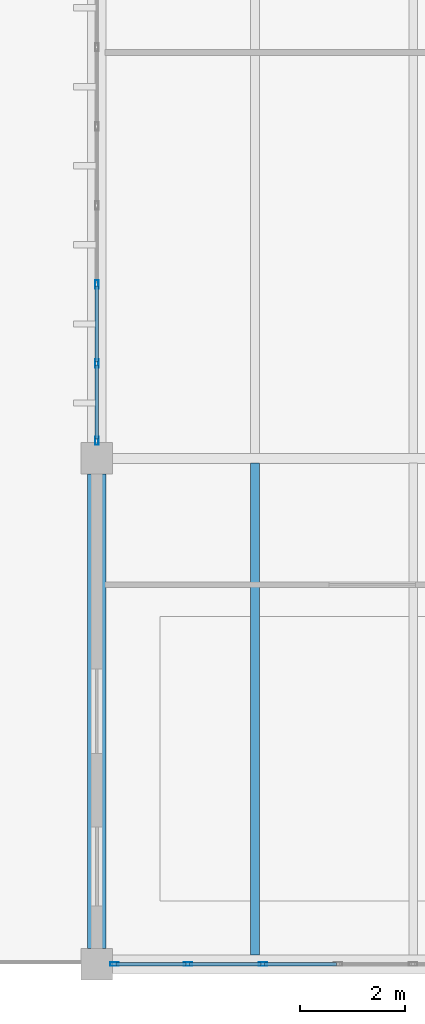
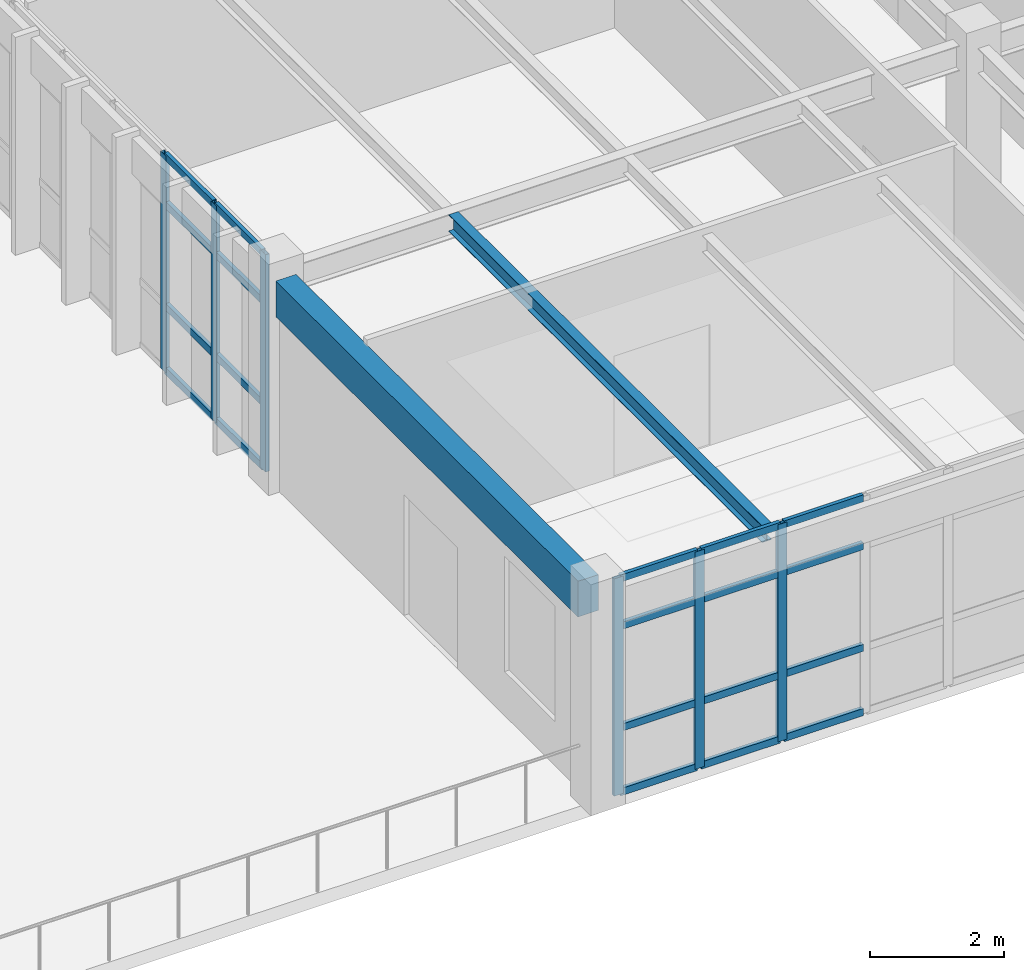
# One storey, part 2 of 28: 26 members, 2 beams, 2 elements without a shape of their own.
"""IFC4 building model written with IfcOpenShell, lengths in metres."""

from ifc_helpers import new_model, si_unit, direction, frame, origin, origin_2d, place, context, subcontext, project, spatial, rectangle, hollow_rectangle, i_section, extrude, material, layer, layer_set, material_profile, profile_set, type_object, element, aggregate, save


model = new_model("IFC4")

# Units and contexts
model_context = context("Model", 3, precision=1e-05, world=origin(), true_north=direction((0.0, 1.0)))
body_context = subcontext(model_context, "Body", "Model", "MODEL_VIEW")
ifc_project = project(units=[si_unit("LENGTHUNIT", "METRE"), si_unit("AREAUNIT", "SQUARE_METRE"), si_unit("VOLUMEUNIT", "CUBIC_METRE"), si_unit("PLANEANGLEUNIT", "RADIAN"), si_unit("MASSUNIT", "GRAM", prefix="KILO")], contexts=[model_context])

# Site, building, storey
site_placement = place(None, origin())
site = spatial("IfcSite", under=ifc_project, at=site_placement, CompositionType="ELEMENT")
building_placement = place(site_placement, origin())
building = spatial("IfcBuilding", under=site, at=building_placement, Name="Pandanus Reach Market Hall", CompositionType="ELEMENT")
storey_placement = place(building_placement, frame((0.0, 0.0, 18.60009765625)))
storey = spatial("IfcBuildingStorey", under=building, at=storey_placement, Name="L04", CompositionType="ELEMENT", Elevation=18.60009765625)

# Beam
ifc_material_1 = material(Name="Concrete N40 (40 MPa)", Category="concrete")
ifc_material_profile_1 = material_profile(ifc_material_1, rectangle(XDim=0.35009765625, YDim=0.64990234375, at=origin_2d()), Name="RC350x650", Category="LoadBearing")
ifc_profile_set_1 = profile_set([ifc_material_profile_1], Name="Concrete N40 (40 MPa)")
beam_type_1 = type_object("IfcBeamType", Name="BM-RC350-E", PredefinedType="SPANDREL", material=ifc_profile_set_1)
beam_1_placement = place(storey_placement, frame((156.0, 29.097900390625, 3.534912109375), z_axis=(0.0, 1.0, 0.0), x_axis=(-1.0, 0.0, 0.0)))
element("IfcBeam", 1, at=beam_1_placement, inside=storey, type_object=beam_type_1, Name="Framing beam BM-RC350-E L04.622", PredefinedType="SPANDREL", context=body_context, shape_type="SweptSolid", body=[
    extrude(rectangle(XDim=0.35009765625, YDim=0.64990234375, at=origin_2d()), origin(), (0.0, 0.0, 1.0), 9.004150390625),
])

# Curtain wall, members
ifc_material_2 = material(Name="Bronze anodised aluminium and low-E glass", Category="aluminium")
ifc_layer_1 = layer(ifc_material_2, 0.159912109375, Name="CW-35")
ifc_layer_set_1 = layer_set([ifc_layer_1], Name="Bronze anodised aluminium and low-E glass")
curtain_wall_type_1 = type_object("IfcCurtainWallType", Name="CW-35", PredefinedType="NOTDEFINED", material=ifc_layer_set_1)
curtain_wall_1_placement = place(storey_placement, origin())
curtain_wall_1 = element("IfcCurtainWall", 2, at=curtain_wall_1_placement, inside=storey, type_object=curtain_wall_type_1, Name="Glazed curtain wall CW-35 CW-0127", PredefinedType="NOTDEFINED")
ifc_material_3 = material(Name="Bronze anodised aluminium", Category="aluminium")
ifc_material_profile_2 = material_profile(ifc_material_3, hollow_rectangle(XDim=0.06494140625, YDim=0.159912109375, WallThickness=0.00390625, at=origin_2d()), Name="ALU65x160", Category="LoadBearing")
ifc_profile_set_2 = profile_set([ifc_material_profile_2], Name="Bronze anodised aluminium")
member_type_1 = type_object("IfcMemberType", Name="CW-M1", PredefinedType="MULLION", material=ifc_profile_set_2)
member_1_placement = place(storey_placement, frame((156.33251953125, 28.800048828125, 0.0), z_axis=(0.0, 0.0, 1.0), x_axis=(0.0, 1.0, 0.0)))
member_1 = element("IfcMember", 3, at=member_1_placement, type_object=member_type_1, Name="CW-35 mullion 1", PredefinedType="MULLION", context=body_context, shape_type="SweptSolid", body=[
    extrude(hollow_rectangle(XDim=0.06494140625, YDim=0.159912109375, WallThickness=0.00390625, at=origin_2d()), origin(), (0.0, 0.0, 1.0), 3.949951171875),
])
member_2_placement = place(storey_placement, frame((157.72509765625, 28.800048828125, 0.0), z_axis=(0.0, 0.0, 1.0), x_axis=(0.0, 1.0, 0.0)))
member_2 = element("IfcMember", 4, at=member_2_placement, type_object=member_type_1, Name="CW-35 mullion 2", PredefinedType="MULLION", context=body_context, shape_type="SweptSolid", body=[
    extrude(hollow_rectangle(XDim=0.06494140625, YDim=0.159912109375, WallThickness=0.00390625, at=origin_2d()), origin(), (0.0, 0.0, 1.0), 3.949951171875),
])
member_3_placement = place(storey_placement, frame((159.14990234375, 28.800048828125, 0.0), z_axis=(0.0, 0.0, 1.0), x_axis=(0.0, 1.0, 0.0)))
member_3 = element("IfcMember", 5, at=member_3_placement, type_object=member_type_1, Name="CW-35 mullion 3", PredefinedType="MULLION", context=body_context, shape_type="SweptSolid", body=[
    extrude(hollow_rectangle(XDim=0.06494140625, YDim=0.159912109375, WallThickness=0.00390625, at=origin_2d()), origin(), (0.0, 0.0, 1.0), 3.949951171875),
])

ifc_layer_2 = layer(ifc_material_2, 0.159912109375, Name="CW-37")
ifc_layer_set_2 = layer_set([ifc_layer_2], Name="Bronze anodised aluminium and low-E glass")
curtain_wall_type_2 = type_object("IfcCurtainWallType", Name="CW-37", PredefinedType="NOTDEFINED", material=ifc_layer_set_2)
curtain_wall_2_placement = place(storey_placement, origin())
curtain_wall_2 = element("IfcCurtainWall", 6, at=curtain_wall_2_placement, inside=storey, type_object=curtain_wall_type_2, Name="Glazed curtain wall CW-37 CW-0133", PredefinedType="NOTDEFINED")
member_4_placement = place(storey_placement, frame((156.0, 38.732421875, 0.0), z_axis=(0.0, 0.0, 1.0), x_axis=(-1.0, 0.0, 0.0)))
member_4 = element("IfcMember", 7, at=member_4_placement, type_object=member_type_1, Name="CW-37 mullion 1", PredefinedType="MULLION", context=body_context, shape_type="SweptSolid", body=[
    extrude(hollow_rectangle(XDim=0.06494140625, YDim=0.159912109375, WallThickness=0.00390625, at=origin_2d()), origin(), (0.0, 0.0, 1.0), 3.949951171875),
])
member_5_placement = place(storey_placement, frame((156.0, 40.199951171875, 0.0), z_axis=(0.0, 0.0, 1.0), x_axis=(-1.0, 0.0, 0.0)))
member_5 = element("IfcMember", 8, at=member_5_placement, type_object=member_type_1, Name="CW-37 mullion 2", PredefinedType="MULLION", context=body_context, shape_type="SweptSolid", body=[
    extrude(hollow_rectangle(XDim=0.06494140625, YDim=0.159912109375, WallThickness=0.00390625, at=origin_2d()), origin(), (0.0, 0.0, 1.0), 3.949951171875),
])
member_6_placement = place(storey_placement, frame((156.0, 41.699951171875, 0.0), z_axis=(0.0, 0.0, 1.0), x_axis=(-1.0, 0.0, 0.0)))
member_6 = element("IfcMember", 9, at=member_6_placement, type_object=member_type_1, Name="CW-37 mullion 3", PredefinedType="MULLION", context=body_context, shape_type="SweptSolid", body=[
    extrude(hollow_rectangle(XDim=0.06494140625, YDim=0.159912109375, WallThickness=0.00390625, at=origin_2d()), origin(), (0.0, 0.0, 1.0), 3.949951171875),
])

# Member
ifc_material_profile_3 = material_profile(ifc_material_3, hollow_rectangle(XDim=0.06494140625, YDim=0.1298828125, WallThickness=0.00390625, at=origin_2d()), Name="ALU65x130", Category="LoadBearing")
ifc_profile_set_3 = profile_set([ifc_material_profile_3], Name="Bronze anodised aluminium")
member_type_2 = type_object("IfcMemberType", Name="CW-T1", PredefinedType="USERDEFINED", material=ifc_profile_set_3)
member_7_placement = place(storey_placement, frame((156.364990234375, 28.800048828125, 0.032470703125), z_axis=(1.0, 0.0, 0.0), x_axis=(0.0, 1.0, 0.0)))
member_7 = element("IfcMember", 10, at=member_7_placement, type_object=member_type_2, Name="CW-35 transom 1.1", ObjectType="TRANSOM", PredefinedType="USERDEFINED", context=body_context, shape_type="SweptSolid", body=[
    extrude(hollow_rectangle(XDim=0.06494140625, YDim=0.1298828125, WallThickness=0.00390625, at=origin_2d()), origin(), (0.0, 0.0, 1.0), 1.327392578125),
])

member_8_placement = place(storey_placement, frame((156.364990234375, 28.800048828125, 1.199951171875), z_axis=(1.0, 0.0, 0.0), x_axis=(0.0, 1.0, 0.0)))
member_8 = element("IfcMember", 11, at=member_8_placement, type_object=member_type_2, Name="CW-35 transom 1.2", ObjectType="TRANSOM", PredefinedType="USERDEFINED", context=body_context, shape_type="SweptSolid", body=[
    extrude(hollow_rectangle(XDim=0.06494140625, YDim=0.1298828125, WallThickness=0.00390625, at=origin_2d()), origin(), (0.0, 0.0, 1.0), 1.327392578125),
])

member_9_placement = place(storey_placement, frame((156.364990234375, 28.800048828125, 3.0498046875), z_axis=(1.0, 0.0, 0.0), x_axis=(0.0, 1.0, 0.0)))
member_9 = element("IfcMember", 12, at=member_9_placement, type_object=member_type_2, Name="CW-35 transom 1.3", ObjectType="TRANSOM", PredefinedType="USERDEFINED", context=body_context, shape_type="SweptSolid", body=[
    extrude(hollow_rectangle(XDim=0.06494140625, YDim=0.1298828125, WallThickness=0.00390625, at=origin_2d()), origin(), (0.0, 0.0, 1.0), 1.327392578125),
])

member_10_placement = place(storey_placement, frame((156.364990234375, 28.800048828125, 3.91748046875), z_axis=(1.0, 0.0, 0.0), x_axis=(0.0, 1.0, 0.0)))
member_10 = element("IfcMember", 13, at=member_10_placement, type_object=member_type_2, Name="CW-35 transom 1.4", ObjectType="TRANSOM", PredefinedType="USERDEFINED", context=body_context, shape_type="SweptSolid", body=[
    extrude(hollow_rectangle(XDim=0.06494140625, YDim=0.1298828125, WallThickness=0.00390625, at=origin_2d()), origin(), (0.0, 0.0, 1.0), 1.327392578125),
])

member_11_placement = place(storey_placement, frame((157.757568359375, 28.800048828125, 0.032470703125), z_axis=(1.0, 0.0, 0.0), x_axis=(0.0, 1.0, 0.0)))
member_11 = element("IfcMember", 14, at=member_11_placement, type_object=member_type_2, Name="CW-35 transom 2.1", ObjectType="TRANSOM", PredefinedType="USERDEFINED", context=body_context, shape_type="SweptSolid", body=[
    extrude(hollow_rectangle(XDim=0.06494140625, YDim=0.1298828125, WallThickness=0.00390625, at=origin_2d()), origin(), (0.0, 0.0, 1.0), 1.35986328125),
])

member_12_placement = place(storey_placement, frame((157.757568359375, 28.800048828125, 1.199951171875), z_axis=(1.0, 0.0, 0.0), x_axis=(0.0, 1.0, 0.0)))
member_12 = element("IfcMember", 15, at=member_12_placement, type_object=member_type_2, Name="CW-35 transom 2.2", ObjectType="TRANSOM", PredefinedType="USERDEFINED", context=body_context, shape_type="SweptSolid", body=[
    extrude(hollow_rectangle(XDim=0.06494140625, YDim=0.1298828125, WallThickness=0.00390625, at=origin_2d()), origin(), (0.0, 0.0, 1.0), 1.35986328125),
])

member_13_placement = place(storey_placement, frame((157.757568359375, 28.800048828125, 3.0498046875), z_axis=(1.0, 0.0, 0.0), x_axis=(0.0, 1.0, 0.0)))
member_13 = element("IfcMember", 16, at=member_13_placement, type_object=member_type_2, Name="CW-35 transom 2.3", ObjectType="TRANSOM", PredefinedType="USERDEFINED", context=body_context, shape_type="SweptSolid", body=[
    extrude(hollow_rectangle(XDim=0.06494140625, YDim=0.1298828125, WallThickness=0.00390625, at=origin_2d()), origin(), (0.0, 0.0, 1.0), 1.35986328125),
])

member_14_placement = place(storey_placement, frame((157.757568359375, 28.800048828125, 3.91748046875), z_axis=(1.0, 0.0, 0.0), x_axis=(0.0, 1.0, 0.0)))
member_14 = element("IfcMember", 17, at=member_14_placement, type_object=member_type_2, Name="CW-35 transom 2.4", ObjectType="TRANSOM", PredefinedType="USERDEFINED", context=body_context, shape_type="SweptSolid", body=[
    extrude(hollow_rectangle(XDim=0.06494140625, YDim=0.1298828125, WallThickness=0.00390625, at=origin_2d()), origin(), (0.0, 0.0, 1.0), 1.35986328125),
])

member_15_placement = place(storey_placement, frame((159.1826171875, 28.800048828125, 0.032470703125), z_axis=(1.0, 0.0, 0.0), x_axis=(0.0, 1.0, 0.0)))
member_15 = element("IfcMember", 18, at=member_15_placement, type_object=member_type_2, Name="CW-35 transom 3.1", ObjectType="TRANSOM", PredefinedType="USERDEFINED", context=body_context, shape_type="SweptSolid", body=[
    extrude(hollow_rectangle(XDim=0.06494140625, YDim=0.1298828125, WallThickness=0.00390625, at=origin_2d()), origin(), (0.0, 0.0, 1.0), 1.35986328125),
])

member_16_placement = place(storey_placement, frame((159.1826171875, 28.800048828125, 1.199951171875), z_axis=(1.0, 0.0, 0.0), x_axis=(0.0, 1.0, 0.0)))
member_16 = element("IfcMember", 19, at=member_16_placement, type_object=member_type_2, Name="CW-35 transom 3.2", ObjectType="TRANSOM", PredefinedType="USERDEFINED", context=body_context, shape_type="SweptSolid", body=[
    extrude(hollow_rectangle(XDim=0.06494140625, YDim=0.1298828125, WallThickness=0.00390625, at=origin_2d()), origin(), (0.0, 0.0, 1.0), 1.35986328125),
])

member_17_placement = place(storey_placement, frame((159.1826171875, 28.800048828125, 3.0498046875), z_axis=(1.0, 0.0, 0.0), x_axis=(0.0, 1.0, 0.0)))
member_17 = element("IfcMember", 20, at=member_17_placement, type_object=member_type_2, Name="CW-35 transom 3.3", ObjectType="TRANSOM", PredefinedType="USERDEFINED", context=body_context, shape_type="SweptSolid", body=[
    extrude(hollow_rectangle(XDim=0.06494140625, YDim=0.1298828125, WallThickness=0.00390625, at=origin_2d()), origin(), (0.0, 0.0, 1.0), 1.35986328125),
])

member_18_placement = place(storey_placement, frame((159.1826171875, 28.800048828125, 3.91748046875), z_axis=(1.0, 0.0, 0.0), x_axis=(0.0, 1.0, 0.0)))
member_18 = element("IfcMember", 21, at=member_18_placement, type_object=member_type_2, Name="CW-35 transom 3.4", ObjectType="TRANSOM", PredefinedType="USERDEFINED", context=body_context, shape_type="SweptSolid", body=[
    extrude(hollow_rectangle(XDim=0.06494140625, YDim=0.1298828125, WallThickness=0.00390625, at=origin_2d()), origin(), (0.0, 0.0, 1.0), 1.35986328125),
])

aggregate(curtain_wall_1, [member_1, member_2, member_3, member_7, member_8, member_9, member_10, member_11, member_12, member_13, member_14, member_15, member_16, member_17, member_18])

member_19_placement = place(storey_placement, frame((156.0, 38.764892578125, 0.032470703125), z_axis=(0.0, 1.0, 0.0), x_axis=(-1.0, 0.0, 0.0)))
member_19 = element("IfcMember", 22, at=member_19_placement, type_object=member_type_2, Name="CW-37 transom 1.1", ObjectType="TRANSOM", PredefinedType="USERDEFINED", context=body_context, shape_type="SweptSolid", body=[
    extrude(hollow_rectangle(XDim=0.06494140625, YDim=0.1298828125, WallThickness=0.00390625, at=origin_2d()), origin(), (0.0, 0.0, 1.0), 1.402587890625),
])

member_20_placement = place(storey_placement, frame((156.0, 38.764892578125, 1.199951171875), z_axis=(0.0, 1.0, 0.0), x_axis=(-1.0, 0.0, 0.0)))
member_20 = element("IfcMember", 23, at=member_20_placement, type_object=member_type_2, Name="CW-37 transom 1.2", ObjectType="TRANSOM", PredefinedType="USERDEFINED", context=body_context, shape_type="SweptSolid", body=[
    extrude(hollow_rectangle(XDim=0.06494140625, YDim=0.1298828125, WallThickness=0.00390625, at=origin_2d()), origin(), (0.0, 0.0, 1.0), 1.402587890625),
])

member_21_placement = place(storey_placement, frame((156.0, 38.764892578125, 3.0498046875), z_axis=(0.0, 1.0, 0.0), x_axis=(-1.0, 0.0, 0.0)))
member_21 = element("IfcMember", 24, at=member_21_placement, type_object=member_type_2, Name="CW-37 transom 1.3", ObjectType="TRANSOM", PredefinedType="USERDEFINED", context=body_context, shape_type="SweptSolid", body=[
    extrude(hollow_rectangle(XDim=0.06494140625, YDim=0.1298828125, WallThickness=0.00390625, at=origin_2d()), origin(), (0.0, 0.0, 1.0), 1.402587890625),
])

member_22_placement = place(storey_placement, frame((156.0, 38.764892578125, 3.91748046875), z_axis=(0.0, 1.0, 0.0), x_axis=(-1.0, 0.0, 0.0)))
member_22 = element("IfcMember", 25, at=member_22_placement, type_object=member_type_2, Name="CW-37 transom 1.4", ObjectType="TRANSOM", PredefinedType="USERDEFINED", context=body_context, shape_type="SweptSolid", body=[
    extrude(hollow_rectangle(XDim=0.06494140625, YDim=0.1298828125, WallThickness=0.00390625, at=origin_2d()), origin(), (0.0, 0.0, 1.0), 1.402587890625),
])

member_23_placement = place(storey_placement, frame((156.0, 40.232421875, 0.032470703125), z_axis=(0.0, 1.0, 0.0), x_axis=(-1.0, 0.0, 0.0)))
member_23 = element("IfcMember", 26, at=member_23_placement, type_object=member_type_2, Name="CW-37 transom 2.1", ObjectType="TRANSOM", PredefinedType="USERDEFINED", context=body_context, shape_type="SweptSolid", body=[
    extrude(hollow_rectangle(XDim=0.06494140625, YDim=0.1298828125, WallThickness=0.00390625, at=origin_2d()), origin(), (0.0, 0.0, 1.0), 1.43505859375),
])

member_24_placement = place(storey_placement, frame((156.0, 40.232421875, 1.199951171875), z_axis=(0.0, 1.0, 0.0), x_axis=(-1.0, 0.0, 0.0)))
member_24 = element("IfcMember", 27, at=member_24_placement, type_object=member_type_2, Name="CW-37 transom 2.2", ObjectType="TRANSOM", PredefinedType="USERDEFINED", context=body_context, shape_type="SweptSolid", body=[
    extrude(hollow_rectangle(XDim=0.06494140625, YDim=0.1298828125, WallThickness=0.00390625, at=origin_2d()), origin(), (0.0, 0.0, 1.0), 1.43505859375),
])

member_25_placement = place(storey_placement, frame((156.0, 40.232421875, 3.0498046875), z_axis=(0.0, 1.0, 0.0), x_axis=(-1.0, 0.0, 0.0)))
member_25 = element("IfcMember", 28, at=member_25_placement, type_object=member_type_2, Name="CW-37 transom 2.3", ObjectType="TRANSOM", PredefinedType="USERDEFINED", context=body_context, shape_type="SweptSolid", body=[
    extrude(hollow_rectangle(XDim=0.06494140625, YDim=0.1298828125, WallThickness=0.00390625, at=origin_2d()), origin(), (0.0, 0.0, 1.0), 1.43505859375),
])

member_26_placement = place(storey_placement, frame((156.0, 40.232421875, 3.91748046875), z_axis=(0.0, 1.0, 0.0), x_axis=(-1.0, 0.0, 0.0)))
member_26 = element("IfcMember", 29, at=member_26_placement, type_object=member_type_2, Name="CW-37 transom 2.4", ObjectType="TRANSOM", PredefinedType="USERDEFINED", context=body_context, shape_type="SweptSolid", body=[
    extrude(hollow_rectangle(XDim=0.06494140625, YDim=0.1298828125, WallThickness=0.00390625, at=origin_2d()), origin(), (0.0, 0.0, 1.0), 1.43505859375),
])

aggregate(curtain_wall_2, [member_4, member_5, member_6, member_19, member_20, member_21, member_22, member_23, member_24, member_25, member_26])

# Beam
ifc_material_4 = material(Name="Steel Grade 350 (350 MPa)", Category="steel")
ifc_material_profile_4 = material_profile(ifc_material_4, i_section(OverallWidth=0.1650390625, OverallDepth=0.303955078125, WebThickness=0.006103515625, FlangeThickness=0.01025390625, at=origin_2d()), Name="310UB40.4", Category="LoadBearing")
ifc_profile_set_4 = profile_set([ifc_material_profile_4], Name="Steel Grade 350 (350 MPa)")
beam_type_2 = type_object("IfcBeamType", Name="JS-UB310-I", PredefinedType="JOIST", material=ifc_profile_set_4)
beam_2_placement = place(storey_placement, frame((159.0, 28.972900390625, 3.70751953125), z_axis=(0.0, 1.0, 0.0), x_axis=(-1.0, 0.0, 0.0)))
element("IfcBeam", 30, at=beam_2_placement, inside=storey, type_object=beam_type_2, Name="Secondary joist JS-UB310-I L04.637", PredefinedType="JOIST", context=body_context, shape_type="SweptSolid", body=[
    extrude(i_section(OverallWidth=0.1650390625, OverallDepth=0.303955078125, WebThickness=0.006103515625, FlangeThickness=0.01025390625, at=origin_2d()), origin(), (0.0, 0.0, 1.0), 9.333984375),
])

save(model, "model.ifc")
